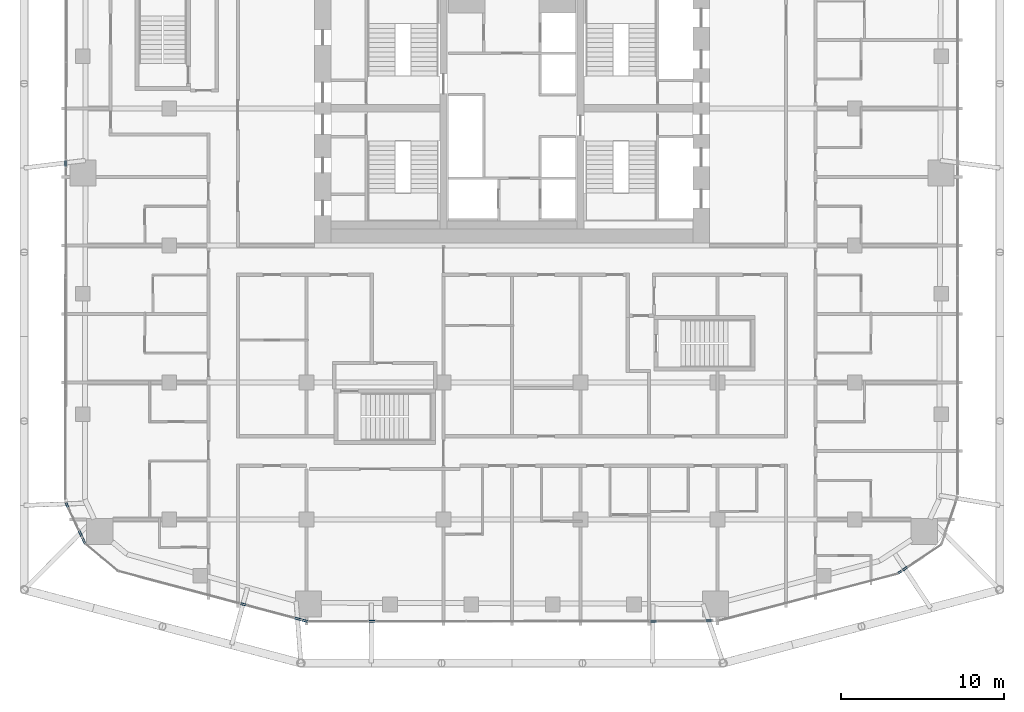
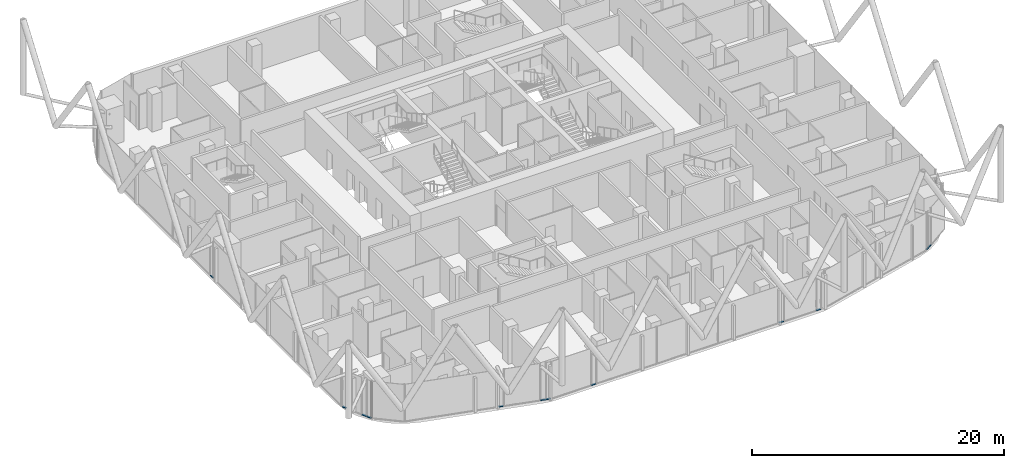
# One storey, part 15 of 36: 12 members, 12 elements without a shape of their own.
"""IFC4 building model written with IfcOpenShell, lengths in metres."""

from ifc_helpers import new_model, si_unit, direction, frame, origin, origin_2d, place, context, subcontext, project, spatial, rectangle, extrude, material, layer, layer_set, material_profile, profile_set, type_object, element, aggregate, save


model = new_model("IFC4")

# Units and contexts
model_context = context("Model", 3, precision=1e-05, world=origin(), true_north=direction((0.0, 1.0)))
body_context = subcontext(model_context, "Body", "Model", "MODEL_VIEW")
ifc_project = project(units=[si_unit("LENGTHUNIT", "METRE"), si_unit("AREAUNIT", "SQUARE_METRE"), si_unit("VOLUMEUNIT", "CUBIC_METRE"), si_unit("PLANEANGLEUNIT", "RADIAN"), si_unit("MASSUNIT", "GRAM", prefix="KILO")], contexts=[model_context])

# Site, building, storey
site_placement = place(None, origin())
site = spatial("IfcSite", under=ifc_project, at=site_placement, CompositionType="ELEMENT")
building_placement = place(site_placement, origin())
building = spatial("IfcBuilding", under=site, at=building_placement, Name="Marenta Gate Hotel Tower", CompositionType="ELEMENT")
storey_placement = place(building_placement, frame((0.0, 0.0, 144.5)))
storey = spatial("IfcBuildingStorey", under=building, at=storey_placement, Name="L33", CompositionType="ELEMENT", Elevation=144.5)

# Curtain wall, member
ifc_material_1 = material(Name="Tinted insulated glass in bronze anodised frame", Category="glass")
ifc_layer = layer(ifc_material_1, 0.1201171875)
ifc_layer_set = layer_set([ifc_layer], Name="Tinted insulated glass in bronze anodised frame")
curtain_wall_type = type_object("IfcCurtainWallType", Name="Tower unitised curtain wall CW1", PredefinedType="NOTDEFINED", material=ifc_layer_set)
curtain_wall_1_placement = place(storey_placement, origin())
curtain_wall_1 = element("IfcCurtainWall", 1, at=curtain_wall_1_placement, inside=storey, type_object=curtain_wall_type, Name="CW1 run G07", PredefinedType="NOTDEFINED")
ifc_material_2 = material(Name="Bronze anodised aluminium", Category="aluminium")
ifc_material_profile = material_profile(ifc_material_2, rectangle(XDim=0.1201171875, YDim=0.06005859375, at=origin_2d()), Name="Transom CW1 60x120 bronze anodised aluminium")
ifc_profile_set = profile_set([ifc_material_profile], Name="Bronze anodised aluminium")
member_type = type_object("IfcMemberType", Name="Transom CW1 60x120 bronze anodised aluminium", PredefinedType="USERDEFINED", material=ifc_profile_set)
member_1_placement = place(storey_placement, frame((-27.34033203125, 5.23193359375, 0.030029296875), z_axis=(-0.00123152616, -0.999999241671, 0.0), x_axis=(0.999999241671, -0.00123152616, 0.0)))
member_1 = element("IfcMember", 2, at=member_1_placement, type_object=member_type, Name="CW1 transom 1.1", ObjectType="TRANSOM", PredefinedType="USERDEFINED", context=body_context, shape_type="SweptSolid", body=[
    extrude(rectangle(XDim=0.1201171875, YDim=0.06005859375, at=origin_2d()), origin(), (0.0, 0.0, 1.0), 0.396484375),
])
aggregate(curtain_wall_1, [member_1])

curtain_wall_2_placement = place(storey_placement, origin())
curtain_wall_2 = element("IfcCurtainWall", 3, at=curtain_wall_2_placement, inside=storey, type_object=curtain_wall_type, Name="CW1 run G09", PredefinedType="NOTDEFINED")
member_2_placement = place(storey_placement, frame((-27.34765625, -15.748046875, 0.030029296875), z_axis=(0.423272916218, -0.906002228693, 0.0), x_axis=(0.906002228693, 0.423272916218, 0.0)))
member_2 = element("IfcMember", 4, at=member_2_placement, type_object=member_type, Name="CW1 transom 1.1", ObjectType="TRANSOM", PredefinedType="USERDEFINED", context=body_context, shape_type="SweptSolid", body=[
    extrude(rectangle(XDim=0.1201171875, YDim=0.06005859375, at=origin_2d()), origin(), (0.0, 0.0, 1.0), 0.344970703125),
])
aggregate(curtain_wall_2, [member_2])

curtain_wall_3_placement = place(storey_placement, origin())
curtain_wall_3 = element("IfcCurtainWall", 5, at=curtain_wall_3_placement, inside=storey, type_object=curtain_wall_type, Name="CW1 run G11", PredefinedType="NOTDEFINED")
member_3_placement = place(storey_placement, frame((-26.544189453125, -17.4677734375, 0.030029296875), z_axis=(0.423960267339, -0.905680789085, 0.0), x_axis=(0.905680789085, 0.423960267339, 0.0)))
member_3 = element("IfcMember", 6, at=member_3_placement, type_object=member_type, Name="CW1 transom 1.1", ObjectType="TRANSOM", PredefinedType="USERDEFINED", context=body_context, shape_type="SweptSolid", body=[
    extrude(rectangle(XDim=0.1201171875, YDim=0.06005859375, at=origin_2d()), origin(), (0.0, 0.0, 1.0), 0.422607421875),
])
aggregate(curtain_wall_3, [member_3])

curtain_wall_4_placement = place(storey_placement, origin())
curtain_wall_4 = element("IfcCurtainWall", 7, at=curtain_wall_4_placement, inside=storey, type_object=curtain_wall_type, Name="CW1 run G12", PredefinedType="NOTDEFINED")
member_4_placement = place(storey_placement, frame((-26.339599609375, -17.905029296875, 0.030029296875), z_axis=(0.42295417161, -0.906151073893, 0.0), x_axis=(0.906151073893, 0.42295417161, 0.0)))
member_4 = element("IfcMember", 8, at=member_4_placement, type_object=member_type, Name="CW1 transom 1.1", ObjectType="TRANSOM", PredefinedType="USERDEFINED", context=body_context, shape_type="SweptSolid", body=[
    extrude(rectangle(XDim=0.1201171875, YDim=0.06005859375, at=origin_2d()), origin(), (0.0, 0.0, 1.0), 0.38916015625),
])
aggregate(curtain_wall_4, [member_4])

curtain_wall_5_placement = place(storey_placement, origin())
curtain_wall_5 = element("IfcCurtainWall", 9, at=curtain_wall_5_placement, inside=storey, type_object=curtain_wall_type, Name="CW1 run G15", PredefinedType="NOTDEFINED")
member_5_placement = place(storey_placement, frame((-16.650390625, -21.94482421875, 0.030029296875), z_axis=(0.966379102199, -0.257121432076, 0.0), x_axis=(0.257121432076, 0.966379102199, 0.0)))
member_5 = element("IfcMember", 10, at=member_5_placement, type_object=member_type, Name="CW1 transom 1.1", ObjectType="TRANSOM", PredefinedType="USERDEFINED", context=body_context, shape_type="SweptSolid", body=[
    extrude(rectangle(XDim=0.1201171875, YDim=0.06005859375, at=origin_2d()), origin(), (0.0, 0.0, 1.0), 0.39306640625),
])
aggregate(curtain_wall_5, [member_5])

curtain_wall_6_placement = place(storey_placement, origin())
curtain_wall_6 = element("IfcCurtainWall", 11, at=curtain_wall_6_placement, inside=storey, type_object=curtain_wall_type, Name="CW1 run G17", PredefinedType="NOTDEFINED")
member_6_placement = place(storey_placement, frame((-13.3193359375, -22.8310546875, 0.030029296875), z_axis=(0.966369996674, -0.257155652336, 0.0), x_axis=(0.257155652336, 0.966369996674, 0.0)))
member_6 = element("IfcMember", 12, at=member_6_placement, type_object=member_type, Name="CW1 transom 1.1", ObjectType="TRANSOM", PredefinedType="USERDEFINED", context=body_context, shape_type="SweptSolid", body=[
    extrude(rectangle(XDim=0.1201171875, YDim=0.06005859375, at=origin_2d()), origin(), (0.0, 0.0, 1.0), 0.419677734375),
])
aggregate(curtain_wall_6, [member_6])

curtain_wall_7_placement = place(storey_placement, origin())
curtain_wall_7 = element("IfcCurtainWall", 13, at=curtain_wall_7_placement, inside=storey, type_object=curtain_wall_type, Name="CW1 run G18", PredefinedType="NOTDEFINED")
member_7_placement = place(storey_placement, frame((-12.855712890625, -22.954345703125, 0.030029296875), z_axis=(0.96625731902, -0.257578713095, 0.0), x_axis=(0.257578713095, 0.96625731902, 0.0)))
member_7 = element("IfcMember", 14, at=member_7_placement, type_object=member_type, Name="CW1 transom 1.1", ObjectType="TRANSOM", PredefinedType="USERDEFINED", context=body_context, shape_type="SweptSolid", body=[
    extrude(rectangle(XDim=0.1201171875, YDim=0.06005859375, at=origin_2d()), origin(), (0.0, 0.0, 1.0), 0.362060546875),
])
aggregate(curtain_wall_7, [member_7])

curtain_wall_8_placement = place(storey_placement, origin())
curtain_wall_8 = element("IfcCurtainWall", 15, at=curtain_wall_8_placement, inside=storey, type_object=curtain_wall_type, Name="CW1 run G20", PredefinedType="NOTDEFINED")
member_8_placement = place(storey_placement, frame((-8.7841796875, -23.04248046875, 0.030029296875), z_axis=(0.999999227466, 0.001243007119, 0.0), x_axis=(-0.001243007119, 0.999999227466, 0.0)))
member_8 = element("IfcMember", 16, at=member_8_placement, type_object=member_type, Name="CW1 transom 1.1", ObjectType="TRANSOM", PredefinedType="USERDEFINED", context=body_context, shape_type="SweptSolid", body=[
    extrude(rectangle(XDim=0.1201171875, YDim=0.06005859375, at=origin_2d()), origin(), (0.0, 0.0, 1.0), 0.392822265625),
])
aggregate(curtain_wall_8, [member_8])

curtain_wall_9_placement = place(storey_placement, origin())
curtain_wall_9 = element("IfcCurtainWall", 17, at=curtain_wall_9_placement, inside=storey, type_object=curtain_wall_type, Name="CW1 run G22", PredefinedType="NOTDEFINED")
member_9_placement = place(storey_placement, frame((8.4677734375, -23.018798828125, 0.030029296875), z_axis=(0.999999228426, 0.001242235066, 0.0), x_axis=(-0.001242235066, 0.999999228426, 0.0)))
member_9 = element("IfcMember", 18, at=member_9_placement, type_object=member_type, Name="CW1 transom 1.1", ObjectType="TRANSOM", PredefinedType="USERDEFINED", context=body_context, shape_type="SweptSolid", body=[
    extrude(rectangle(XDim=0.1201171875, YDim=0.06005859375, at=origin_2d()), origin(), (0.0, 0.0, 1.0), 0.39306640625),
])
aggregate(curtain_wall_9, [member_9])

curtain_wall_10_placement = place(storey_placement, origin())
curtain_wall_10 = element("IfcCurtainWall", 19, at=curtain_wall_10_placement, inside=storey, type_object=curtain_wall_type, Name="CW1 run G24", PredefinedType="NOTDEFINED")
member_10_placement = place(storey_placement, frame((11.881591796875, -23.01416015625, 0.030029296875), z_axis=(0.999999071937, 0.001362396556, 0.0), x_axis=(-0.001362396556, 0.999999071937, 0.0)))
member_10 = element("IfcMember", 20, at=member_10_placement, type_object=member_type, Name="CW1 transom 1.1", ObjectType="TRANSOM", PredefinedType="USERDEFINED", context=body_context, shape_type="SweptSolid", body=[
    extrude(rectangle(XDim=0.1201171875, YDim=0.06005859375, at=origin_2d()), origin(), (0.0, 0.0, 1.0), 0.3583984375),
])
aggregate(curtain_wall_10, [member_10])

curtain_wall_11_placement = place(storey_placement, origin())
curtain_wall_11 = element("IfcCurtainWall", 21, at=curtain_wall_11_placement, inside=storey, type_object=curtain_wall_type, Name="CW1 run G26", PredefinedType="NOTDEFINED")
member_11_placement = place(storey_placement, frame((23.657470703125, -20.096435546875, 0.030029296875), z_axis=(0.832603197014, 0.553869945314, 0.0), x_axis=(-0.553869945314, 0.832603197014, 0.0)))
member_11 = element("IfcMember", 22, at=member_11_placement, type_object=member_type, Name="CW1 transom 1.1", ObjectType="TRANSOM", PredefinedType="USERDEFINED", context=body_context, shape_type="SweptSolid", body=[
    extrude(rectangle(XDim=0.1201171875, YDim=0.06005859375, at=origin_2d()), origin(), (0.0, 0.0, 1.0), 0.271484375),
])
aggregate(curtain_wall_11, [member_11])

curtain_wall_12_placement = place(storey_placement, origin())
curtain_wall_12 = element("IfcCurtainWall", 23, at=curtain_wall_12_placement, inside=storey, type_object=curtain_wall_type, Name="CW1 run G27", PredefinedType="NOTDEFINED")
member_12_placement = place(storey_placement, frame((23.93359375, -19.912841796875, 0.030029296875), z_axis=(0.832432384861, 0.55412663231, 0.0), x_axis=(-0.55412663231, 0.832432384861, 0.0)))
member_12 = element("IfcMember", 24, at=member_12_placement, type_object=member_type, Name="CW1 transom 1.1", ObjectType="TRANSOM", PredefinedType="USERDEFINED", context=body_context, shape_type="SweptSolid", body=[
    extrude(rectangle(XDim=0.1201171875, YDim=0.06005859375, at=origin_2d()), origin(), (0.0, 0.0, 1.0), 0.39306640625),
])
aggregate(curtain_wall_12, [member_12])

save(model, "model.ifc")
